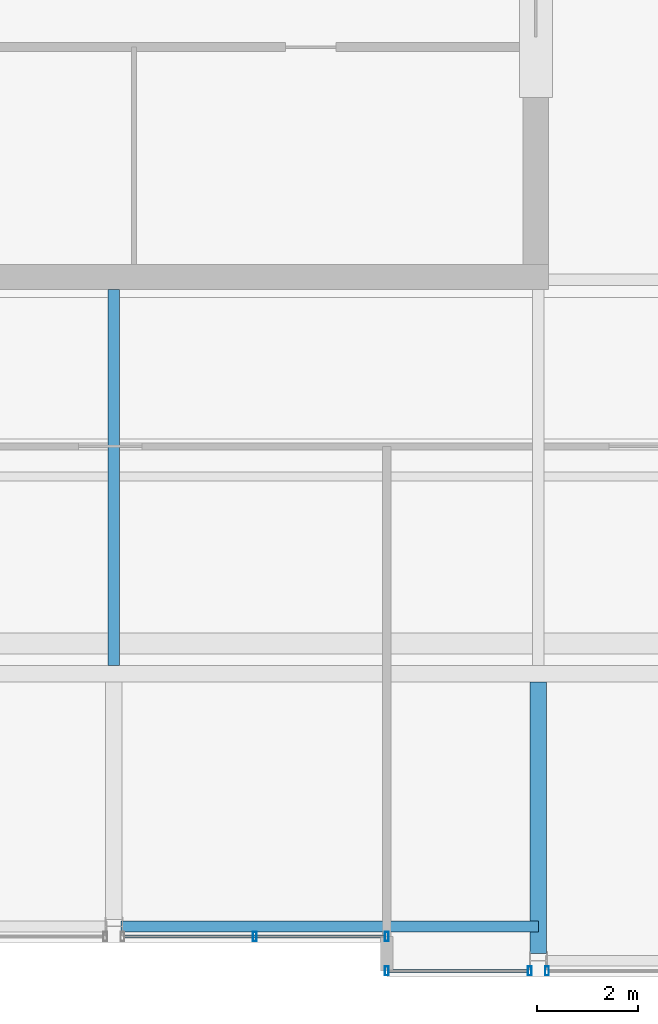
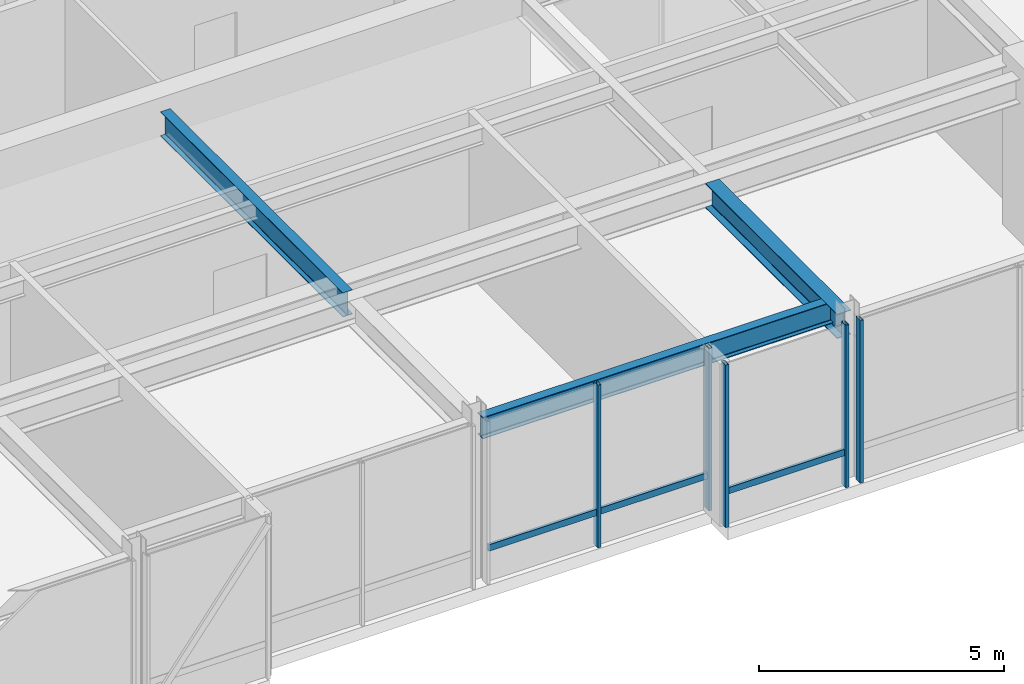
# One storey, part 10 of 33: 7 members, 3 beams, 3 elements without a shape of their own.
"""IFC4 building model written with IfcOpenShell, lengths in metres."""

from ifc_helpers import new_model, si_unit, direction, frame, origin, origin_2d, place, context, subcontext, project, spatial, hollow_rectangle, i_section, extrude, material, layer, layer_set, material_profile, profile_set, type_object, element, aggregate, save


model = new_model("IFC4")

# Units and contexts
model_context = context("Model", 3, precision=1e-05, world=origin(), true_north=direction((0.0, 1.0)))
body_context = subcontext(model_context, "Body", "Model", "MODEL_VIEW")
ifc_project = project(units=[si_unit("LENGTHUNIT", "METRE"), si_unit("AREAUNIT", "SQUARE_METRE"), si_unit("VOLUMEUNIT", "CUBIC_METRE"), si_unit("PLANEANGLEUNIT", "RADIAN"), si_unit("MASSUNIT", "GRAM", prefix="KILO")], contexts=[model_context])

# Site, building, storey
site_placement = place(None, origin())
site = spatial("IfcSite", under=ifc_project, at=site_placement, CompositionType="ELEMENT")
building_placement = place(site_placement, origin())
building = spatial("IfcBuilding", under=site, at=building_placement, Name="Drelvath Grand Hotel", CompositionType="ELEMENT")
storey_placement = place(building_placement, frame((0.0, 0.0, 298.60009765625)))
storey = spatial("IfcBuildingStorey", under=building, at=storey_placement, Name="L78", CompositionType="ELEMENT", Elevation=298.60009765625)

# Curtain wall, member
ifc_material_1 = material(Name="Platinum-Mist Anodised Aluminium Frame", Category="aluminium")
ifc_layer = layer(ifc_material_1, 0.199951171875)
ifc_layer_set = layer_set([ifc_layer], Name="Platinum-Mist Anodised Aluminium Frame")
curtain_wall_type = type_object("IfcCurtainWallType", Name="Stick Curtain Wall CW-05 Platinum Mist High-Rise", PredefinedType="NOTDEFINED", material=ifc_layer_set)
curtain_wall_1_placement = place(storey_placement, origin())
curtain_wall_1 = element("IfcCurtainWall", 1, at=curtain_wall_1_placement, inside=storey, type_object=curtain_wall_type, Name="L78 CW-05 Curtain Wall CW05-L78-SE1", PredefinedType="NOTDEFINED")
ifc_material_profile_1 = material_profile(ifc_material_1, hollow_rectangle(XDim=0.06494140625, YDim=0.159912109375, WallThickness=0.00390625, at=origin_2d()), Name="HSS160X65X4")
ifc_profile_set_1 = profile_set([ifc_material_profile_1], Name="Platinum-Mist Anodised Aluminium Frame")
member_type_1 = type_object("IfcMemberType", Name="Curtain Wall Horizontal Transom CW-05 HSS160X65X4", PredefinedType="USERDEFINED", material=ifc_profile_set_1)
member_1_placement = place(storey_placement, frame((8.18994140625, 4.919921875, 0.849853515625), z_axis=(-1.0, 0.0, 0.0), x_axis=(0.0, -1.0, 0.0)))
member_1 = element("IfcMember", 2, at=member_1_placement, type_object=member_type_1, Name="CW05-L78-SE1 Sill Transom", ObjectType="TRANSOM", PredefinedType="USERDEFINED", context=body_context, shape_type="SweptSolid", body=[
    extrude(hollow_rectangle(XDim=0.06494140625, YDim=0.159912109375, WallThickness=0.00390625, at=origin_2d()), origin(), (0.0, 0.0, 1.0), 2.75),
])

curtain_wall_2_placement = place(storey_placement, origin())
curtain_wall_2 = element("IfcCurtainWall", 3, at=curtain_wall_2_placement, inside=storey, type_object=curtain_wall_type, Name="L78 CW-05 Curtain Wall CW05-L78-SM2", PredefinedType="NOTDEFINED")
member_2_placement = place(storey_placement, frame((5.360107421875, 5.60009765625, 0.849853515625), z_axis=(-1.0, 0.0, 0.0), x_axis=(0.0, -1.0, 0.0)))
member_2 = element("IfcMember", 4, at=member_2_placement, type_object=member_type_1, Name="CW05-L78-SM2 Sill Transom", ObjectType="TRANSOM", PredefinedType="USERDEFINED", context=body_context, shape_type="SweptSolid", body=[
    extrude(hollow_rectangle(XDim=0.06494140625, YDim=0.159912109375, WallThickness=0.00390625, at=origin_2d()), origin(), (0.0, 0.0, 1.0), 5.14990234375),
])

# Member
ifc_material_profile_2 = material_profile(ifc_material_1, hollow_rectangle(XDim=0.074951171875, YDim=0.179931640625, WallThickness=0.0048828125, at=origin_2d()), Name="HSS180X75X5")
ifc_profile_set_2 = profile_set([ifc_material_profile_2], Name="Platinum-Mist Anodised Aluminium Frame")
member_type_2 = type_object("IfcMemberType", Name="Curtain Wall Vertical Mullion CW-05 HSS180X75X5", PredefinedType="MULLION", material=ifc_profile_set_2)
member_3_placement = place(storey_placement, frame((8.22998046875, 4.919921875, 0.0), z_axis=(0.0, 0.0, 1.0), x_axis=(1.0, 0.0, 0.0)))
member_3 = element("IfcMember", 5, at=member_3_placement, type_object=member_type_2, Name="CW05-L78-SE1 Mullion 1", PredefinedType="MULLION", context=body_context, shape_type="SweptSolid", body=[
    extrude(hollow_rectangle(XDim=0.074951171875, YDim=0.179931640625, WallThickness=0.0048828125, at=origin_2d()), origin(), (0.0, 0.0, 1.0), 4.0498046875),
])

member_4_placement = place(storey_placement, frame((5.39990234375, 4.919921875, 0.0), z_axis=(0.0, 0.0, 1.0), x_axis=(1.0, 0.0, 0.0)))
member_4 = element("IfcMember", 6, at=member_4_placement, type_object=member_type_2, Name="CW05-L78-SE1 Mullion 2", PredefinedType="MULLION", context=body_context, shape_type="SweptSolid", body=[
    extrude(hollow_rectangle(XDim=0.074951171875, YDim=0.179931640625, WallThickness=0.0048828125, at=origin_2d()), origin(), (0.0, 0.0, 1.0), 4.0498046875),
])

aggregate(curtain_wall_1, [member_3, member_4, member_1])

# Curtain wall, member
curtain_wall_3_placement = place(storey_placement, origin())
curtain_wall_3 = element("IfcCurtainWall", 7, at=curtain_wall_3_placement, inside=storey, type_object=curtain_wall_type, Name="L78 CW-05 Curtain Wall CW05-L78-SE2", PredefinedType="NOTDEFINED")
member_5_placement = place(storey_placement, frame((8.570068359375, 4.919921875, 0.0), z_axis=(0.0, 0.0, 1.0), x_axis=(1.0, 0.0, 0.0)))
member_5 = element("IfcMember", 8, at=member_5_placement, type_object=member_type_2, Name="CW05-L78-SE2 Mullion 3", PredefinedType="MULLION", context=body_context, shape_type="SweptSolid", body=[
    extrude(hollow_rectangle(XDim=0.074951171875, YDim=0.179931640625, WallThickness=0.0048828125, at=origin_2d()), origin(), (0.0, 0.0, 1.0), 4.0498046875),
])
aggregate(curtain_wall_3, [member_5])

# Member
member_6_placement = place(storey_placement, frame((5.39990234375, 5.60009765625, 0.0), z_axis=(0.0, 0.0, 1.0), x_axis=(1.0, 0.0, 0.0)))
member_6 = element("IfcMember", 9, at=member_6_placement, type_object=member_type_2, Name="CW05-L78-SM2 Mullion 1", PredefinedType="MULLION", context=body_context, shape_type="SweptSolid", body=[
    extrude(hollow_rectangle(XDim=0.074951171875, YDim=0.179931640625, WallThickness=0.0048828125, at=origin_2d()), origin(), (0.0, 0.0, 1.0), 4.0498046875),
])

member_7_placement = place(storey_placement, frame((2.78515625, 5.60009765625, 0.0), z_axis=(0.0, 0.0, 1.0), x_axis=(1.0, 0.0, 0.0)))
member_7 = element("IfcMember", 10, at=member_7_placement, type_object=member_type_2, Name="CW05-L78-SM2 Mullion 2", PredefinedType="MULLION", context=body_context, shape_type="SweptSolid", body=[
    extrude(hollow_rectangle(XDim=0.074951171875, YDim=0.179931640625, WallThickness=0.0048828125, at=origin_2d()), origin(), (0.0, 0.0, 1.0), 4.0498046875),
])

aggregate(curtain_wall_2, [member_6, member_7, member_2])

# Beams
ifc_material_2 = material(Name="Steel ASTM A992 Gr 50", Category="steel")
ifc_material_profile_3 = material_profile(ifc_material_2, i_section(OverallWidth=0.210205078125, OverallDepth=0.53662109375, WebThickness=0.010986328125, FlangeThickness=0.017333984375, FilletRadius=0.01806640625, at=origin_2d()), Name="W21X68")
ifc_profile_set_3 = profile_set([ifc_material_profile_3], Name="Steel ASTM A992 Gr 50")
beam_type_1 = type_object("IfcBeamType", Name="Perimeter Spandrel Beam W21X68", PredefinedType="SPANDREL", material=ifc_profile_set_3)
beam_1_placement = place(storey_placement, frame((0.139892578125, 5.800048828125, 3.781494140625), z_axis=(1.0, 0.0, 0.0), x_axis=(0.0, 1.0, 0.0)))
element("IfcBeam", 11, at=beam_1_placement, inside=storey, type_object=beam_type_1, Name="L78 Spandrel South Mid E", PredefinedType="SPANDREL", context=body_context, shape_type="SweptSolid", body=[
    extrude(i_section(OverallWidth=0.210205078125, OverallDepth=0.53662109375, WebThickness=0.010986328125, FlangeThickness=0.017333984375, FilletRadius=0.01806640625, at=origin_2d()), origin(), (0.0, 0.0, 1.0), 8.260009765625),
])
ifc_material_profile_4 = material_profile(ifc_material_2, i_section(OverallWidth=0.323974609375, OverallDepth=0.611083984375, WebThickness=0.0126953125, FlangeThickness=0.01904296875, FilletRadius=0.02197265625, at=origin_2d()), Name="W24X104")
ifc_profile_set_4 = profile_set([ifc_material_profile_4], Name="Steel ASTM A992 Gr 50")
beam_type_2 = type_object("IfcBeamType", Name="Primary Floor Girder W24X104", PredefinedType="BEAM", material=ifc_profile_set_4)
beam_2_placement = place(storey_placement, frame((8.39990234375, 5.260009765625, 3.744384765625), z_axis=(0.0, 1.0, 0.0), x_axis=(-1.0, 0.0, 0.0)))
element("IfcBeam", 12, at=beam_2_placement, inside=storey, type_object=beam_type_2, Name="L78 South Wing Girder 6", PredefinedType="BEAM", context=body_context, shape_type="SweptSolid", body=[
    extrude(i_section(OverallWidth=0.323974609375, OverallDepth=0.611083984375, WebThickness=0.0126953125, FlangeThickness=0.01904296875, FilletRadius=0.02197265625, at=origin_2d()), origin(), (0.0, 0.0, 1.0), 5.3779296875),
])
ifc_material_profile_5 = material_profile(ifc_material_2, i_section(OverallWidth=0.228271484375, OverallDepth=0.607666015625, WebThickness=0.01123046875, FlangeThickness=0.017333984375, FilletRadius=0.02001953125, at=origin_2d()), Name="W24X76")
ifc_profile_set_5 = profile_set([ifc_material_profile_5], Name="Steel ASTM A992 Gr 50")
beam_type_3 = type_object("IfcBeamType", Name="Primary Floor Girder W24X76", PredefinedType="BEAM", material=ifc_profile_set_5)
beam_3_placement = place(storey_placement, frame((0.0, 10.9619140625, 3.74609375), z_axis=(0.0, 1.0, 0.0), x_axis=(-1.0, 0.0, 0.0)))
element("IfcBeam", 13, at=beam_3_placement, inside=storey, type_object=beam_type_3, Name="L78 South Core Tie 5", PredefinedType="BEAM", context=body_context, shape_type="SweptSolid", body=[
    extrude(i_section(OverallWidth=0.228271484375, OverallDepth=0.607666015625, WebThickness=0.01123046875, FlangeThickness=0.017333984375, FilletRadius=0.02001953125, at=origin_2d()), origin(), (0.0, 0.0, 1.0), 7.43798828125),
])

save(model, "model.ifc")
